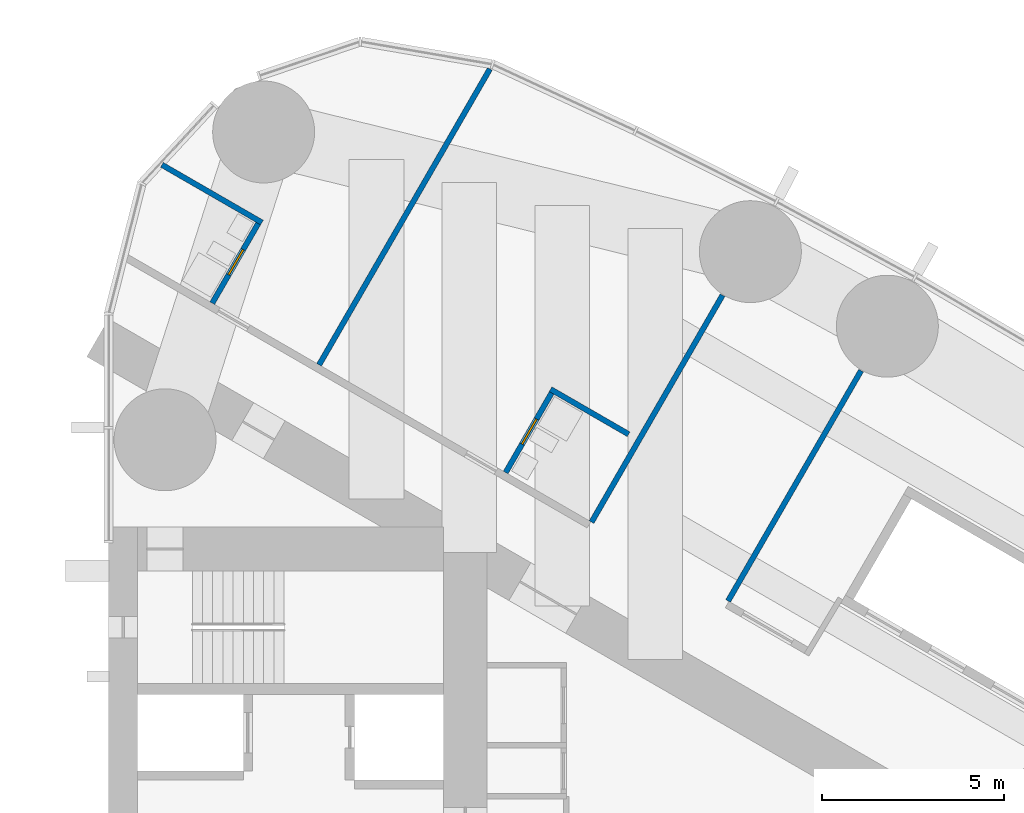
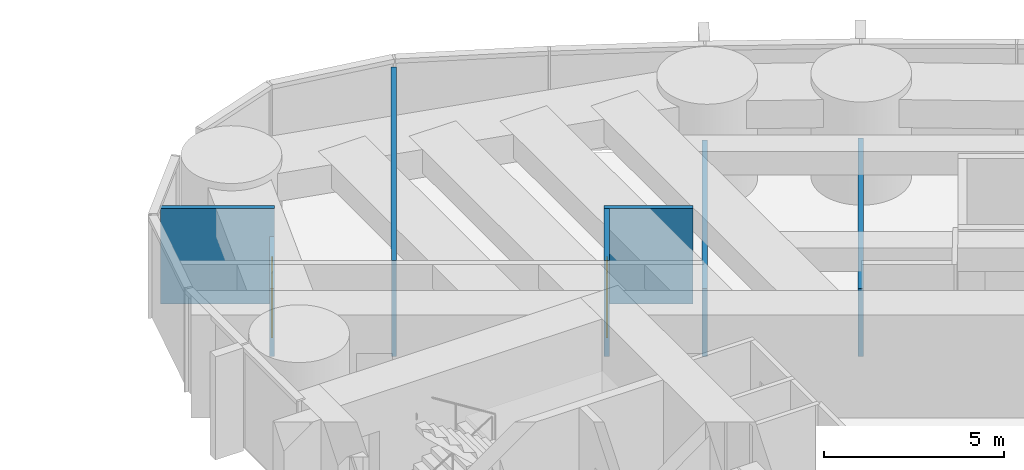
# One storey, part 16 of 19: 7 walls, 2 doors, 2 openings.
"""IFC4 building model written with IfcOpenShell, lengths in metres."""

from ifc_helpers import new_model, si_unit, direction, frame, frame_2d, origin, place, context, subcontext, project, spatial, rectangle, extrude, material, layer, layer_set, type_object, element, fill, save


model = new_model("IFC4")

# Units and contexts
model_context = context("Model", 3, precision=1e-05, world=origin(), true_north=direction((0.0, 1.0)))
body_context = subcontext(model_context, "Body", "Model", "MODEL_VIEW")
ifc_project = project(units=[si_unit("LENGTHUNIT", "METRE"), si_unit("AREAUNIT", "SQUARE_METRE"), si_unit("VOLUMEUNIT", "CUBIC_METRE"), si_unit("PLANEANGLEUNIT", "RADIAN"), si_unit("MASSUNIT", "GRAM", prefix="KILO")], contexts=[model_context])

# Site, building, storey
site_placement = place(None, origin())
site = spatial("IfcSite", under=ifc_project, at=site_placement, CompositionType="ELEMENT")
building_placement = place(site_placement, origin())
building = spatial("IfcBuilding", under=site, at=building_placement, Name="Lancet Gate Hotel", CompositionType="ELEMENT")
storey_placement = place(building_placement, frame((0.0, 0.0, 173.800048828125)))
storey = spatial("IfcBuildingStorey", under=building, at=storey_placement, Name="L46", CompositionType="ELEMENT", Elevation=173.800048828125)

# Wall
ifc_material_1 = material(Name="Moisture resistant board partition")
ifc_layer_1 = layer(ifc_material_1, 0.14990234375)
ifc_layer_set_1 = layer_set([ifc_layer_1], Name="Bathroom wall 150")
wall_type_1 = type_object("IfcWallType", Name="Bathroom wall 150", PredefinedType="PARTITIONING", material=ifc_layer_set_1)
wall_1_placement = place(storey_placement, frame((39.64453125, 12.388671875, 0.0), z_axis=(0.0, 0.0, 1.0), x_axis=(0.866006523861, -0.500032699561, 0.0)))
element("IfcWall", 1, at=wall_1_placement, inside=storey, type_object=wall_type_1, Name="T2 bathroom wall 150 L46", PredefinedType="PARTITIONING", context=body_context, shape_type="SweptSolid", body=[
    extrude(rectangle(XDim=2.474853515625, YDim=0.14990234375, at=frame_2d((1.2373046875, 0.0))), origin(), (0.0, 0.0, 1.0), 3.25),
])

# Wall, opening, door
wall_2_placement = place(storey_placement, frame((38.409423828125, 10.099365234375, 0.0), z_axis=(0.0, 0.0, 1.0), x_axis=(0.500006934395, 0.866021400173, 0.0)))
wall_2 = element("IfcWall", 2, at=wall_2_placement, inside=storey, type_object=wall_type_1, Name="T2 bathroom wall 150 L46", PredefinedType="PARTITIONING", context=body_context, shape_type="SweptSolid", body=[
    extrude(rectangle(XDim=2.60009765625, YDim=0.14990234375, at=frame_2d((1.300048828125, 0.0))), origin(), (0.0, 0.0, 1.0), 3.25),
])
opening_1_placement = place(wall_2_placement, frame((0.89990234375, 0.0, 0.0)))
opening_1 = element("IfcOpeningElement", 3, at=opening_1_placement, cuts=wall_2, Name="Opening 4662-B", PredefinedType="OPENING", context=body_context, shape_type="SweptSolid", body=[
    extrude(rectangle(XDim=0.800048828125, YDim=2.199951171875, at=frame_2d((0.39990234375, 1.10009765625))), frame((0.0, 0.0849609375, 0.0), z_axis=(0.0, -1.0, 0.0), x_axis=(1.0, 0.0, 0.0)), (0.0, 0.0, 1.0), 0.169921875),
])
ifc_material_2 = material(Name="Timber door set", Category="wood")
door_type = type_object("IfcDoorType", Name="Bathroom door 800", OperationType="SINGLE_SWING_RIGHT", PredefinedType="DOOR", material=ifc_material_2)
door_1_placement = place(opening_1_placement, origin())
door_1 = element("IfcDoor", 4, at=door_1_placement, inside=storey, type_object=door_type, Name="4662-B", OperationType="SINGLE_SWING_RIGHT", OverallHeight=2.199951171875, OverallWidth=0.800048828125, PredefinedType="DOOR", context=body_context, shape_type="SweptSolid", body=[
    extrude(rectangle(XDim=0.800048828125, YDim=2.199951171875, at=frame_2d((0.39990234375, 1.10009765625))), frame((0.0, 0.02490234375, 0.0), z_axis=(0.0, -1.0, 0.0), x_axis=(1.0, 0.0, 0.0)), (0.0, 0.0, 1.0), 0.050048828125),
])
fill(opening_1, door_1)

# Wall
wall_3_placement = place(storey_placement, frame((28.965087890625, 18.554443359375, 0.0), z_axis=(0.0, 0.0, 1.0), x_axis=(0.866008740531, -0.500028860491, 0.0)))
element("IfcWall", 5, at=wall_3_placement, inside=storey, type_object=wall_type_1, Name="T2 bathroom wall 150 L46", PredefinedType="PARTITIONING", context=body_context, shape_type="SweptSolid", body=[
    extrude(rectangle(XDim=3.172607421875, YDim=0.14990234375, at=frame_2d((1.58642578125, 0.0))), origin(), (0.0, 0.0, 1.0), 3.25),
])

# Wall, opening, door
wall_4_placement = place(storey_placement, frame((30.34765625, 14.75390625, 0.0), z_axis=(0.0, 0.0, 1.0), x_axis=(0.500006934395, 0.866021400173, 0.0)))
wall_4 = element("IfcWall", 6, at=wall_4_placement, inside=storey, type_object=wall_type_1, Name="T2 bathroom wall 150 L46", PredefinedType="PARTITIONING", context=body_context, shape_type="SweptSolid", body=[
    extrude(rectangle(XDim=2.60009765625, YDim=0.14990234375, at=frame_2d((1.300048828125, 0.0))), origin(), (0.0, 0.0, 1.0), 2.300048828125),
])
opening_2_placement = place(wall_4_placement, frame((0.89990234375, 0.0, 0.0)))
opening_2 = element("IfcOpeningElement", 7, at=opening_2_placement, cuts=wall_4, Name="Opening 4664-B", PredefinedType="OPENING", context=body_context, shape_type="SweptSolid", body=[
    extrude(rectangle(XDim=0.800048828125, YDim=2.199951171875, at=frame_2d((0.39990234375, 1.10009765625))), frame((0.0, 0.0849609375, 0.0), z_axis=(0.0, -1.0, 0.0), x_axis=(1.0, 0.0, 0.0)), (0.0, 0.0, 1.0), 0.169921875),
])
door_2_placement = place(opening_2_placement, origin())
door_2 = element("IfcDoor", 8, at=door_2_placement, inside=storey, type_object=door_type, Name="4664-B", OperationType="SINGLE_SWING_RIGHT", OverallHeight=2.199951171875, OverallWidth=0.800048828125, PredefinedType="DOOR", context=body_context, shape_type="SweptSolid", body=[
    extrude(rectangle(XDim=0.800048828125, YDim=2.199951171875, at=frame_2d((0.39990234375, 1.10009765625))), frame((0.0, 0.02490234375, 0.0), z_axis=(0.0, -1.0, 0.0), x_axis=(1.0, 0.0, 0.0)), (0.0, 0.0, 1.0), 0.050048828125),
])
fill(opening_2, door_2)

# Walls
ifc_material_3 = material(Name="Gypsum board partition")
ifc_layer_2 = layer(ifc_material_3, 0.14990234375)
ifc_layer_set_2 = layer_set([ifc_layer_2], Name="Party wall 150")
wall_type_2 = type_object("IfcWallType", Name="Party wall 150", PredefinedType="PARTITIONING", material=ifc_layer_set_2)
wall_5_placement = place(storey_placement, frame((33.28369140625, 13.058837890625, 0.0), z_axis=(0.0, 0.0, 1.0), x_axis=(0.499985904184, 0.866033541855, 0.0)))
element("IfcWall", 9, at=wall_5_placement, inside=storey, type_object=wall_type_2, Name="T2 party wall 150 L46", PredefinedType="PARTITIONING", context=body_context, shape_type="SweptSolid", body=[
    extrude(rectangle(XDim=9.385498046875, YDim=0.14990234375, at=frame_2d((4.69287109375, 0.0))), origin(), (0.0, 0.0, 1.0), 3.25),
])
wall_6_placement = place(storey_placement, frame((40.769287109375, 8.737060546875, 0.0), z_axis=(0.0, 0.0, 1.0), x_axis=(0.500013115284, 0.866017831539, 0.0)))
element("IfcWall", 10, at=wall_6_placement, inside=storey, type_object=wall_type_2, Name="T2 party wall 150 L46", PredefinedType="PARTITIONING", context=body_context, shape_type="SweptSolid", body=[
    extrude(rectangle(XDim=7.197998046875, YDim=0.14990234375, at=frame_2d((3.59912109375, 0.0))), origin(), (0.0, 0.0, 1.0), 2.300048828125),
])
wall_7_placement = place(storey_placement, frame((44.521484375, 6.57080078125, 0.0), z_axis=(0.0, 0.0, 1.0), x_axis=(0.500020376429, 0.866013639128, 0.0)))
element("IfcWall", 11, at=wall_7_placement, inside=storey, type_object=wall_type_2, Name="T2 party wall 150 L46", PredefinedType="PARTITIONING", context=body_context, shape_type="SweptSolid", body=[
    extrude(rectangle(XDim=7.306396484375, YDim=0.14990234375, at=frame_2d((3.6533203125, 0.0))), origin(), (0.0, 0.0, 1.0), 2.300048828125),
])

save(model, "model.ifc")
